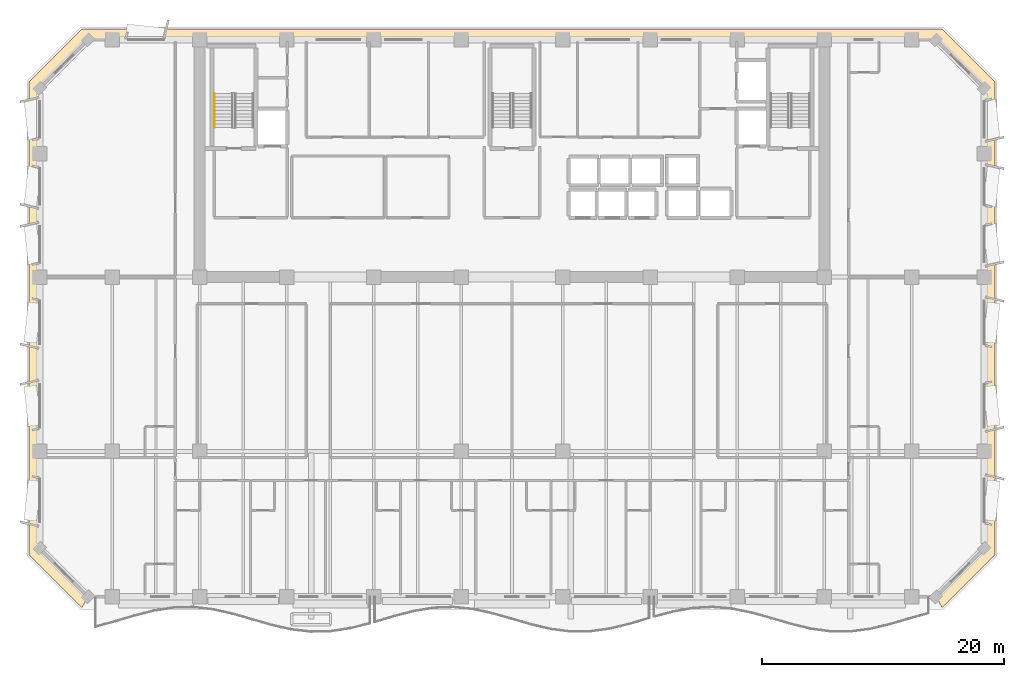
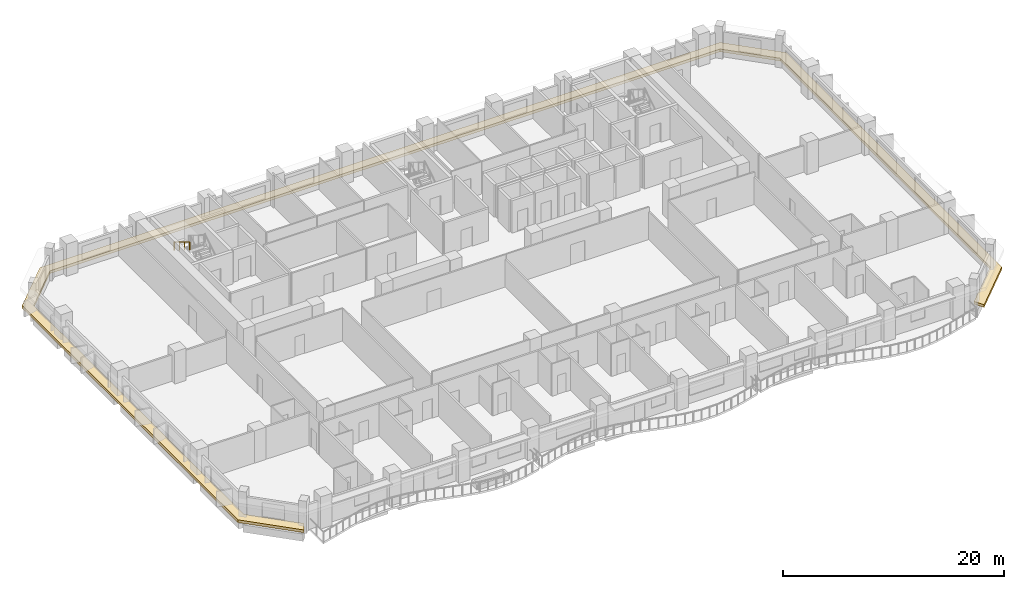
# One storey, part 12 of 15: 1 covering, 1 railing.
"""IFC4 building model written with IfcOpenShell, lengths in metres."""

from ifc_helpers import new_model, si_unit, direction, frame, origin, origin_2d, place, context, subcontext, project, spatial, polyline, rectangle, outline, extrude, material, layer, layer_set, type_object, element, save


model = new_model("IFC4")

# Units and contexts
model_context = context("Model", 3, precision=1e-05, world=origin(), true_north=direction((0.0, 1.0)))
body_context = subcontext(model_context, "Body", "Model", "MODEL_VIEW")
ifc_project = project(units=[si_unit("LENGTHUNIT", "METRE"), si_unit("AREAUNIT", "SQUARE_METRE"), si_unit("VOLUMEUNIT", "CUBIC_METRE"), si_unit("PLANEANGLEUNIT", "RADIAN"), si_unit("MASSUNIT", "GRAM", prefix="KILO")], contexts=[model_context])

# Site, building, storey
site_placement = place(None, origin())
site = spatial("IfcSite", under=ifc_project, at=site_placement, CompositionType="ELEMENT")
building_placement = place(site_placement, origin())
building = spatial("IfcBuilding", under=site, at=building_placement, Name="Kaelvorn Grand Hotel", CompositionType="ELEMENT")
storey_placement = place(building_placement, frame((0.0, 0.0, 150.550048828125)))
storey = spatial("IfcBuildingStorey", under=building, at=storey_placement, Name="L36", CompositionType="ELEMENT", Elevation=150.550048828125)

# Covering
ifc_material_1 = material(Name="Precast concrete C45/55", Category="concrete")
ifc_layer = layer(ifc_material_1, 0.219970703125)
ifc_layer_set = layer_set([ifc_layer], Name="Precast concrete C45/55")
covering_type = type_object("IfcCoveringType", Name="COV-BAND-STREAMLINE-SILL", PredefinedType="CLADDING", material=ifc_layer_set)
covering_placement = place(storey_placement, frame((0.0, 0.0, 0.449951171875)))
element("IfcCovering", 1, at=covering_placement, inside=storey, type_object=covering_type, Name="L36 Streamline Moderne Wraparound Horizontal Sill Spandrel Band", PredefinedType="CLADDING", context=body_context, shape_type="SweptSolid", body=[
    extrude(outline(polyline([(77.515380859375, 2.1201171875), (81.8798828125, 6.484619140625), (81.8798828125, 45.515380859375), (77.515380859375, 49.8798828125), (6.484619140625, 49.8798828125), (2.1201171875, 45.515380859375), (2.1201171875, 6.484619140625), (6.484619140625, 2.1201171875), (7.017578125, 3.030029296875), (3.030029296875, 7.017578125), (3.030029296875, 44.982421875), (7.017578125, 48.969970703125), (76.982421875, 48.969970703125), (80.969970703125, 44.982421875), (80.969970703125, 7.017578125), (76.982421875, 3.030029296875), (77.515380859375, 2.1201171875)])), origin(), (0.0, 0.0, 1.0), 0.300048828125),
])

# Railing
ifc_material_2 = material(Name="Stainless Steel", Category="steel")
railing_type = type_object("IfcRailingType", Name="RL-HANDRAIL-900", PredefinedType="HANDRAIL", material=ifc_material_2)
railing_placement = place(storey_placement, frame((17.449951171875, 44.56005859375, 2.07275390625)))
element("IfcRailing", 2, at=railing_placement, inside=storey, type_object=railing_type, Name="L36 ST1 stair handrail 2", PredefinedType="HANDRAIL", context=body_context, shape_type="SweptSolid", body=[
    extrude(rectangle(XDim=0.048095703125, YDim=0.048095703125, at=origin_2d()), frame((0.0, 0.0, 0.8759765625), z_axis=(0.0, -0.851089632645, 0.525020415988), x_axis=(1.0, 0.0, 0.0)), (0.0, 0.0, 1.0), 3.2900390625),
    extrude(rectangle(XDim=0.0419921875, YDim=0.0419921875, at=origin_2d()), origin(), (0.0, 0.0, 1.0), 0.851806640625),
    extrude(rectangle(XDim=0.0419921875, YDim=0.0419921875, at=origin_2d()), frame((0.0, -0.933349609375, 0.57568359375)), (0.0, 0.0, 1.0), 0.851806640625),
    extrude(rectangle(XDim=0.0419921875, YDim=0.0419921875, at=origin_2d()), frame((0.0, -1.86669921875, 1.151611328125)), (0.0, 0.0, 1.0), 0.851806640625),
    extrude(rectangle(XDim=0.0419921875, YDim=0.0419921875, at=origin_2d()), frame((0.0, -2.800048828125, 1.727294921875)), (0.0, 0.0, 1.0), 0.851806640625),
])

save(model, "model.ifc")
